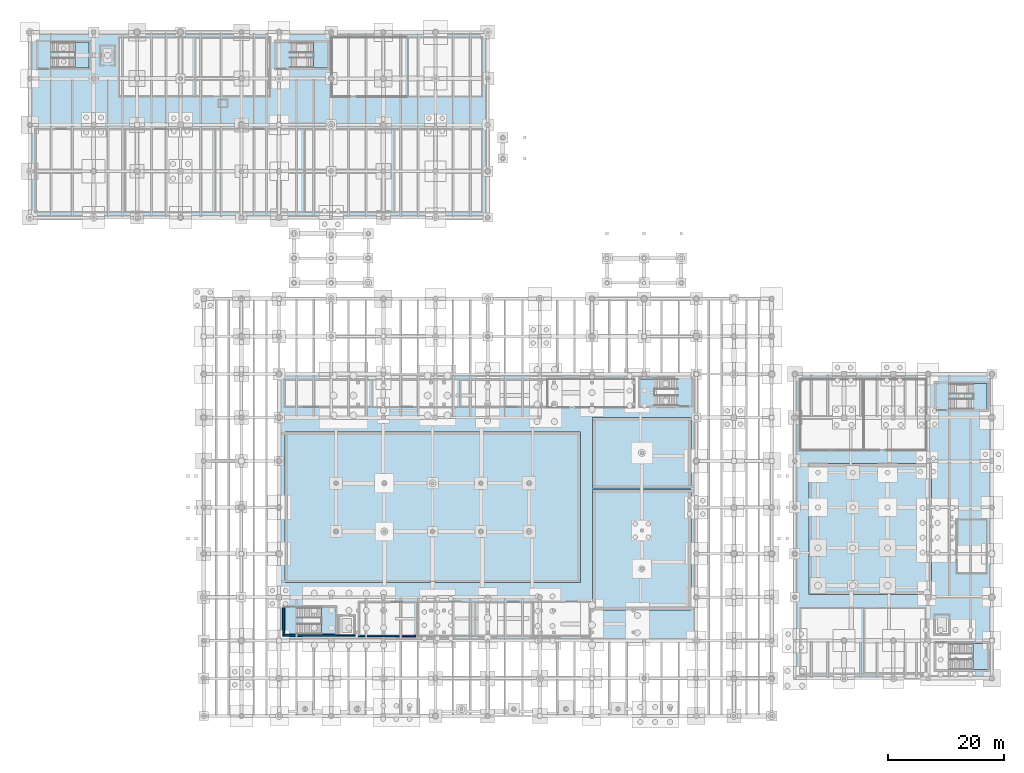
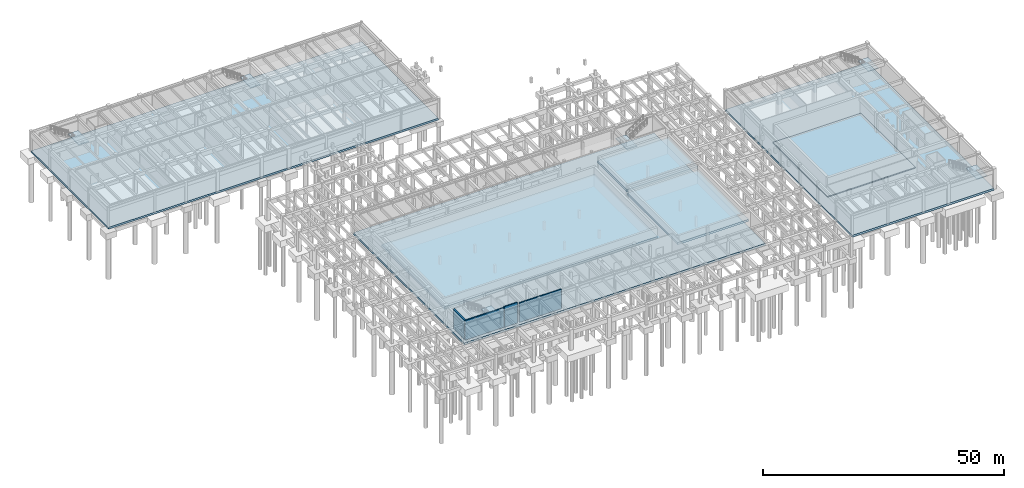
# One storey, part 27 of 36: 13 slabs, 4 walls, 6 elements without a shape of their own.
"""IFC4 building model written with IfcOpenShell, lengths in metres."""

from ifc_helpers import new_model, si_unit, direction, frame, frame_2d, origin, place, context, subcontext, project, spatial, polyline, rectangle, outline, extrude, material, layer, layer_set, type_object, element, aggregate, save


model = new_model("IFC4")

# Units and contexts
model_context = context("Model", 3, precision=1e-05, world=origin(), true_north=direction((0.0, 1.0)))
body_context = subcontext(model_context, "Body", "Model", "MODEL_VIEW")
ifc_project = project(units=[si_unit("LENGTHUNIT", "METRE"), si_unit("AREAUNIT", "SQUARE_METRE"), si_unit("VOLUMEUNIT", "CUBIC_METRE"), si_unit("PLANEANGLEUNIT", "RADIAN"), si_unit("MASSUNIT", "GRAM", prefix="KILO"), si_unit("THERMODYNAMICTEMPERATUREUNIT", "KELVIN"), si_unit("POWERUNIT", "WATT")], contexts=[model_context])

# Site, building, storey
site_placement = place(None, origin())
site = spatial("IfcSite", under=ifc_project, at=site_placement, CompositionType="ELEMENT")
building_placement = place(site_placement, origin())
building = spatial("IfcBuilding", under=site, at=building_placement, Name="Tepalcoro Natatorium and Aquatics Centre", CompositionType="ELEMENT")
storey_placement = place(building_placement, frame((0.0, 0.0, -5.199951171875)))
storey = spatial("IfcBuildingStorey", under=building, at=storey_placement, Name="B1", CompositionType="ELEMENT", Elevation=-5.199951171875)

# Slabs
ifc_material_1 = material(Name="Concrete C40/50 (fc 40 MPa)", Category="concrete")
ifc_layer_1 = layer(ifc_material_1, 0.4599609375)
ifc_layer_set_1 = layer_set([ifc_layer_1], Name="Concrete C40/50 (fc 40 MPa)")
slab_type_1 = type_object("IfcSlabType", Name="SL_BASE_460", PredefinedType="BASESLAB", material=ifc_layer_set_1)
slab_1_placement = place(storey_placement, frame((0.0, 0.0, -0.4599609375)))
element("IfcSlab", 1, at=slab_1_placement, inside=storey, type_object=slab_type_1, Name="V4 Filtration Basement Base Slab", PredefinedType="BASESLAB", context=body_context, shape_type="SweptSolid", body=[
    extrude(outline(polyline([(89.0, 86.0), (89.0, 118.0), (10.0, 118.0), (10.0, 86.0), (89.0, 86.0)])), origin(), (0.0, 0.0, 1.0), 0.4599609375),
])
ifc_layer_2 = layer(ifc_material_1, 0.5)
ifc_layer_set_2 = layer_set([ifc_layer_2], Name="Concrete C40/50 (fc 40 MPa)")
slab_type_2 = type_object("IfcSlabType", Name="SL_BASE_500", PredefinedType="BASESLAB", material=ifc_layer_set_2)
slab_2_placement = place(storey_placement, frame((0.0, 0.0, -0.5)))
element("IfcSlab", 2, at=slab_2_placement, inside=storey, type_object=slab_type_2, Name="V1 Basement Watertight Base Slab", PredefinedType="BASESLAB", context=body_context, shape_type="SweptSolid", body=[
    extrude(outline(polyline([(125.0, 13.0), (125.0, 59.0), (53.0, 59.0), (53.0, 13.0), (125.0, 13.0)])), origin(), (0.0, 0.0, 1.0), 0.5),
])
slab_3_placement = place(storey_placement, frame((0.0, 0.0, -0.5)))
element("IfcSlab", 3, at=slab_3_placement, inside=storey, type_object=slab_type_2, Name="V2 Basement Plant Base Slab", PredefinedType="BASESLAB", context=body_context, shape_type="SweptSolid", body=[
    extrude(outline(polyline([(142.0, 6.5), (142.0, 59.0), (176.0, 59.0), (176.0, 6.5), (142.0, 6.5)]), holes=[polyline([(165.550048828125, 43.550048828125), (144.449951171875, 43.550048828125), (144.449951171875, 20.949951171875), (165.550048828125, 20.949951171875), (165.550048828125, 43.550048828125)])]), origin(), (0.0, 0.0, 1.0), 0.5),
])

# Stair, slab
ifc_material_2 = material(Name="Concrete C35/45 (fc 35 MPa)", Category="concrete")
stair_type_1 = type_object("IfcStairType", Name="ST_RC_1800_B1", PredefinedType="HALF_TURN_STAIR", material=ifc_material_2)
stair_1_placement = place(storey_placement, origin())
stair_1 = element("IfcStair", 4, at=stair_1_placement, inside=storey, type_object=stair_type_1, Name="Natatorium West Fire Stair (B1 to L00)", PredefinedType="HALF_TURN_STAIR")
ifc_layer_3 = layer(ifc_material_2, 0.199951171875)
ifc_layer_set_3 = layer_set([ifc_layer_3], Name="Concrete C35/45 (fc 35 MPa)")
slab_type_3 = type_object("IfcSlabType", Name="SL_LANDING_200", PredefinedType="LANDING", material=ifc_layer_set_3)
slab_4_placement = place(storey_placement, frame((0.0, 0.0, 2.39990234375)))
slab_4 = element("IfcSlab", 5, at=slab_4_placement, type_object=slab_type_3, Name="Natatorium West Fire Stair (B1 to L00) Half-Landing", PredefinedType="LANDING", context=body_context, shape_type="SweptSolid", body=[
    extrude(outline(polyline([(60.2900390625, 14.080078125), (62.719970703125, 14.080078125), (62.719970703125, 18.719970703125), (60.2900390625, 18.719970703125), (60.2900390625, 14.080078125)])), origin(), (0.0, 0.0, 1.0), 0.199951171875),
])
aggregate(stair_1, [slab_4])

stair_type_2 = type_object("IfcStairType", Name="ST_RC_1800_L00", PredefinedType="HALF_TURN_STAIR", material=ifc_material_2)
stair_2_placement = place(storey_placement, origin())
stair_2 = element("IfcStair", 6, at=stair_2_placement, inside=storey, type_object=stair_type_2, Name="Natatorium East Fire Stair (B1 to L00)", PredefinedType="HALF_TURN_STAIR")
slab_5_placement = place(storey_placement, frame((0.0, 0.0, 2.39990234375)))
slab_5 = element("IfcSlab", 7, at=slab_5_placement, type_object=slab_type_3, Name="Natatorium East Fire Stair (B1 to L00) Half-Landing", PredefinedType="LANDING", context=body_context, shape_type="SweptSolid", body=[
    extrude(outline(polyline([(115.31005859375, 53.510009765625), (117.780029296875, 53.510009765625), (117.780029296875, 58.18994140625), (115.31005859375, 58.18994140625), (115.31005859375, 53.510009765625)])), origin(), (0.0, 0.0, 1.0), 0.199951171875),
])
aggregate(stair_2, [slab_5])

stair_type_3 = type_object("IfcStairType", Name="ST_RC_1800_L01", PredefinedType="HALF_TURN_STAIR", material=ifc_material_2)
stair_3_placement = place(storey_placement, origin())
stair_3 = element("IfcStair", 8, at=stair_3_placement, inside=storey, type_object=stair_type_3, Name="Diving Wing South Fire Stair (B1 to L00)", PredefinedType="HALF_TURN_STAIR")
slab_6_placement = place(storey_placement, frame((0.0, 0.0, 2.39990234375)))
slab_6 = element("IfcSlab", 9, at=slab_6_placement, type_object=slab_type_3, Name="Diving Wing South Fire Stair (B1 to L00) Half-Landing", PredefinedType="LANDING", context=body_context, shape_type="SweptSolid", body=[
    extrude(outline(polyline([(172.739990234375, 7.97998046875), (175.219970703125, 7.97998046875), (175.219970703125, 12.52001953125), (172.739990234375, 12.52001953125), (172.739990234375, 7.97998046875)])), origin(), (0.0, 0.0, 1.0), 0.199951171875),
])
aggregate(stair_3, [slab_6])

stair_type_4 = type_object("IfcStairType", Name="ST_RC_1800_L02", PredefinedType="HALF_TURN_STAIR", material=ifc_material_2)
stair_4_placement = place(storey_placement, origin())
stair_4 = element("IfcStair", 10, at=stair_4_placement, inside=storey, type_object=stair_type_4, Name="Diving Wing North Fire Stair (B1 to L00)", PredefinedType="HALF_TURN_STAIR")
slab_7_placement = place(storey_placement, frame((0.0, 0.0, 2.39990234375)))
slab_7 = element("IfcSlab", 11, at=slab_7_placement, type_object=slab_type_3, Name="Diving Wing North Fire Stair (B1 to L00) Half-Landing", PredefinedType="LANDING", context=body_context, shape_type="SweptSolid", body=[
    extrude(outline(polyline([(172.7900390625, 52.929931640625), (175.169921875, 52.929931640625), (175.169921875, 57.3701171875), (172.7900390625, 57.3701171875), (172.7900390625, 52.929931640625)])), origin(), (0.0, 0.0, 1.0), 0.199951171875),
])
aggregate(stair_4, [slab_7])

stair_5_placement = place(storey_placement, origin())
stair_5 = element("IfcStair", 12, at=stair_5_placement, inside=storey, type_object=stair_type_2, Name="Training Wing West Fire Stair (B1 to L00)", PredefinedType="HALF_TURN_STAIR")
slab_8_placement = place(storey_placement, frame((0.0, 0.0, 2.39990234375)))
slab_8 = element("IfcSlab", 13, at=slab_8_placement, type_object=slab_type_3, Name="Training Wing West Fire Stair (B1 to L00) Half-Landing", PredefinedType="LANDING", context=body_context, shape_type="SweptSolid", body=[
    extrude(outline(polyline([(17.7900390625, 111.780029296875), (20.219970703125, 111.780029296875), (20.219970703125, 116.320068359375), (17.7900390625, 116.320068359375), (17.7900390625, 111.780029296875)])), origin(), (0.0, 0.0, 1.0), 0.199951171875),
])
aggregate(stair_5, [slab_8])

stair_6_placement = place(storey_placement, origin())
stair_6 = element("IfcStair", 14, at=stair_6_placement, inside=storey, type_object=stair_type_3, Name="Training Wing East Fire Stair (B1 to L00)", PredefinedType="HALF_TURN_STAIR")
slab_9_placement = place(storey_placement, frame((0.0, 0.0, 2.39990234375)))
slab_9 = element("IfcSlab", 15, at=slab_9_placement, type_object=slab_type_3, Name="Training Wing East Fire Stair (B1 to L00) Half-Landing", PredefinedType="LANDING", context=body_context, shape_type="SweptSolid", body=[
    extrude(outline(polyline([(58.93994140625, 111.830078125), (61.320068359375, 111.830078125), (61.320068359375, 116.27001953125), (58.93994140625, 116.27001953125), (58.93994140625, 111.830078125)])), origin(), (0.0, 0.0, 1.0), 0.199951171875),
])
aggregate(stair_6, [slab_9])

# Slabs
ifc_layer_4 = layer(ifc_material_1, 0.56005859375)
ifc_layer_set_4 = layer_set([ifc_layer_4], Name="Concrete C40/50 (fc 40 MPa)")
slab_type_4 = type_object("IfcSlabType", Name="SL_POOL_560", PredefinedType="BASESLAB", material=ifc_layer_set_4)
slab_10_placement = place(storey_placement, frame((0.0, 0.0, 2.639892578125)))
element("IfcSlab", 16, at=slab_10_placement, inside=storey, type_object=slab_type_4, Name="Training Pool Structural Basin Slab", PredefinedType="BASESLAB", context=body_context, shape_type="SweptSolid", body=[
    extrude(outline(polyline([(107.10009765625, 18.300048828125), (124.10009765625, 18.300048828125), (124.10009765625, 39.10009765625), (107.10009765625, 39.10009765625), (107.10009765625, 18.300048828125)])), origin(), (0.0, 0.0, 1.0), 0.56005859375),
])
slab_11_placement = place(storey_placement, frame((0.0, 0.0, 3.2900390625)))
element("IfcSlab", 17, at=slab_11_placement, inside=storey, type_object=slab_type_4, Name="Leisure Pool Structural Basin Slab", PredefinedType="BASESLAB", context=body_context, shape_type="SweptSolid", body=[
    extrude(outline(polyline([(107.10009765625, 39.300048828125), (124.10009765625, 39.300048828125), (124.10009765625, 51.5), (107.10009765625, 51.5), (107.10009765625, 39.300048828125)])), origin(), (0.0, 0.0, 1.0), 0.559814453125),
])
ifc_layer_5 = layer(ifc_material_1, 0.6201171875)
ifc_layer_set_5 = layer_set([ifc_layer_5], Name="Concrete C40/50 (fc 40 MPa)")
slab_type_5 = type_object("IfcSlabType", Name="SL_POOL_620", PredefinedType="BASESLAB", material=ifc_layer_set_5)
slab_12_placement = place(storey_placement, frame((0.0, 0.0, 2.079833984375)))
element("IfcSlab", 18, at=slab_12_placement, inside=storey, type_object=slab_type_5, Name="Competition Pool Structural Basin Slab", PredefinedType="BASESLAB", context=body_context, shape_type="SweptSolid", body=[
    extrude(outline(polyline([(54.0, 23.0), (105.0, 23.0), (105.0, 49.0), (54.0, 49.0), (54.0, 23.0)])), origin(), (0.0, 0.0, 1.0), 0.6201171875),
])
ifc_layer_6 = layer(ifc_material_1, 0.679931640625)
ifc_layer_set_6 = layer_set([ifc_layer_6], Name="Concrete C40/50 (fc 40 MPa)")
slab_type_6 = type_object("IfcSlabType", Name="SL_POOL_680", PredefinedType="BASESLAB", material=ifc_layer_set_6)
slab_13_placement = place(storey_placement, frame((0.0, 0.0, -0.47998046875)))
element("IfcSlab", 19, at=slab_13_placement, inside=storey, type_object=slab_type_6, Name="Diving Pool Structural Basin Slab", PredefinedType="BASESLAB", context=body_context, shape_type="SweptSolid", body=[
    extrude(outline(polyline([(144.449951171875, 20.949951171875), (165.550048828125, 20.949951171875), (165.550048828125, 43.550048828125), (144.449951171875, 43.550048828125), (144.449951171875, 20.949951171875)])), origin(), (0.0, 0.0, 1.0), 0.679931640625),
])

# Walls
ifc_layer_7 = layer(ifc_material_1, 0.239990234375)
ifc_layer_set_7 = layer_set([ifc_layer_7], Name="Concrete C40/50 (fc 40 MPa)")
wall_type_1 = type_object("IfcWallType", Name="WL_SHAFT_240", PredefinedType="SOLIDWALL", material=ifc_layer_set_7)
wall_1_placement = place(storey_placement, frame((63.0, 13.8798828125, 0.0), z_axis=(0.0, 0.0, 1.0), x_axis=(1.0, 0.0, 0.0)))
element("IfcWall", 20, at=wall_1_placement, inside=storey, type_object=wall_type_1, Name="LF01 Lift Shaft Wall S B1", PredefinedType="SOLIDWALL", context=body_context, shape_type="SweptSolid", body=[
    extrude(rectangle(XDim=3.139892578125, YDim=0.239990234375, at=frame_2d((1.56982421875, 0.0))), origin(), (0.0, 0.0, 1.0), 5.199951171875),
])
ifc_layer_8 = layer(ifc_material_1, 0.300048828125)
ifc_layer_set_8 = layer_set([ifc_layer_8], Name="Concrete C40/50 (fc 40 MPa)")
wall_type_2 = type_object("IfcWallType", Name="WL_SHEAR_300", PredefinedType="SHEAR", material=ifc_layer_set_8)
wall_2_placement = place(storey_placement, frame((53.64990234375, 13.949951171875, 0.0), z_axis=(0.0, 0.0, 1.0), x_axis=(1.0, 0.0, 0.0)))
element("IfcWall", 21, at=wall_2_placement, inside=storey, type_object=wall_type_2, Name="ST01 Core Shear Wall S B1", PredefinedType="SHEAR", context=body_context, shape_type="SweptSolid", body=[
    extrude(rectangle(XDim=9.35009765625, YDim=0.300048828125, at=frame_2d((4.675048828125, 0.0))), origin(), (0.0, 0.0, 1.0), 4.919921875),
])
wall_3_placement = place(storey_placement, frame((53.800048828125, 14.10009765625, 0.0), z_axis=(0.0, 0.0, 1.0), x_axis=(0.0, 1.0, 0.0)))
element("IfcWall", 22, at=wall_3_placement, inside=storey, type_object=wall_type_2, Name="ST01 Core Shear Wall W B1", PredefinedType="SHEAR", context=body_context, shape_type="SweptSolid", body=[
    extrude(rectangle(XDim=4.599853515625, YDim=0.300048828125, at=frame_2d((2.2998046875, 0.0))), origin(), (0.0, 0.0, 1.0), 4.919921875),
])
ifc_layer_9 = layer(ifc_material_2, 0.2451171875)
ifc_layer_set_9 = layer_set([ifc_layer_9], Name="Concrete C35/45 (fc 35 MPa)")
wall_type_3 = type_object("IfcWallType", Name="WL_SOLID_240_FR120", PredefinedType="SOLIDWALL", material=ifc_layer_set_9)
wall_4_placement = place(storey_placement, frame((66.639892578125, 13.822509765625, 0.0), z_axis=(0.0, 0.0, 1.0), x_axis=(1.0, 0.0, 0.0)))
element("IfcWall", 23, at=wall_4_placement, inside=storey, type_object=wall_type_3, Name="Pool Plant Competition Ozone & UV Disinfection Hall Partition S", PredefinedType="SOLIDWALL", context=body_context, shape_type="SweptSolid", body=[
    extrude(rectangle(XDim=9.97021484375, YDim=0.2451171875, at=frame_2d((4.985107421875, 0.0))), origin(), (0.0, 0.0, 1.0), 4.905029296875),
])

save(model, "model.ifc")
